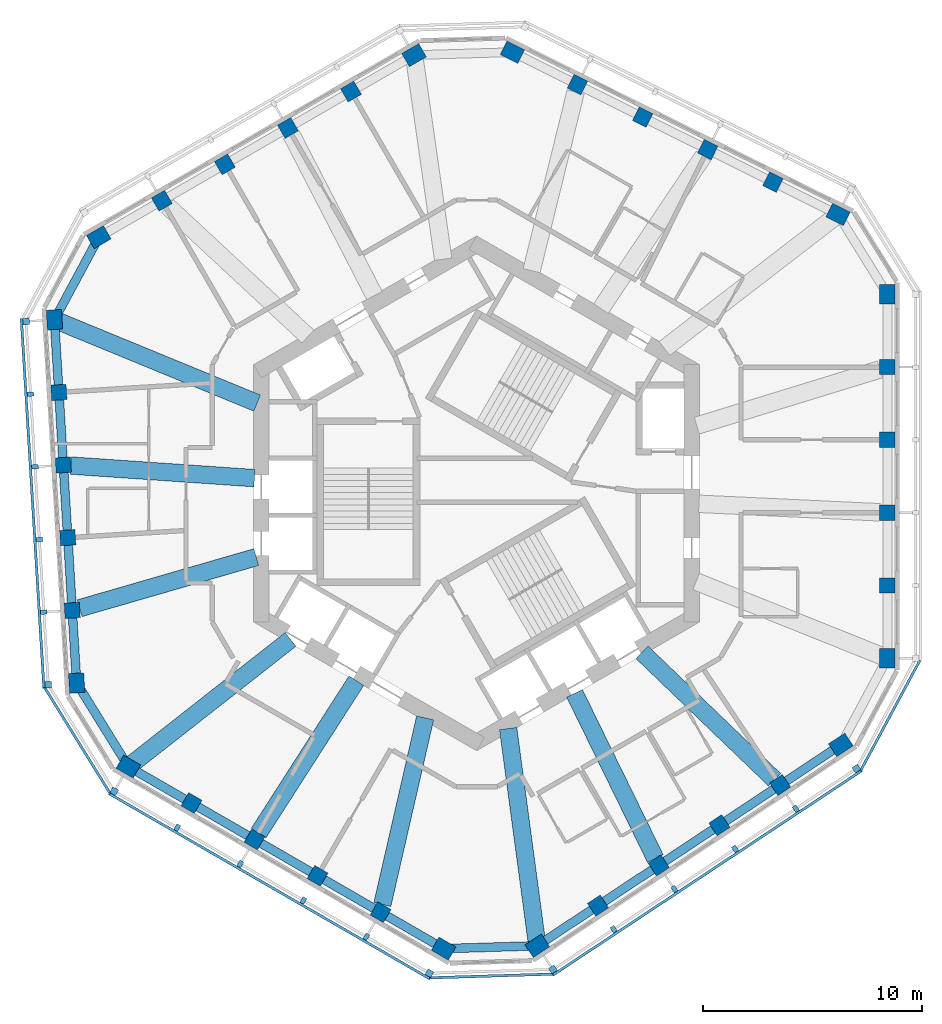
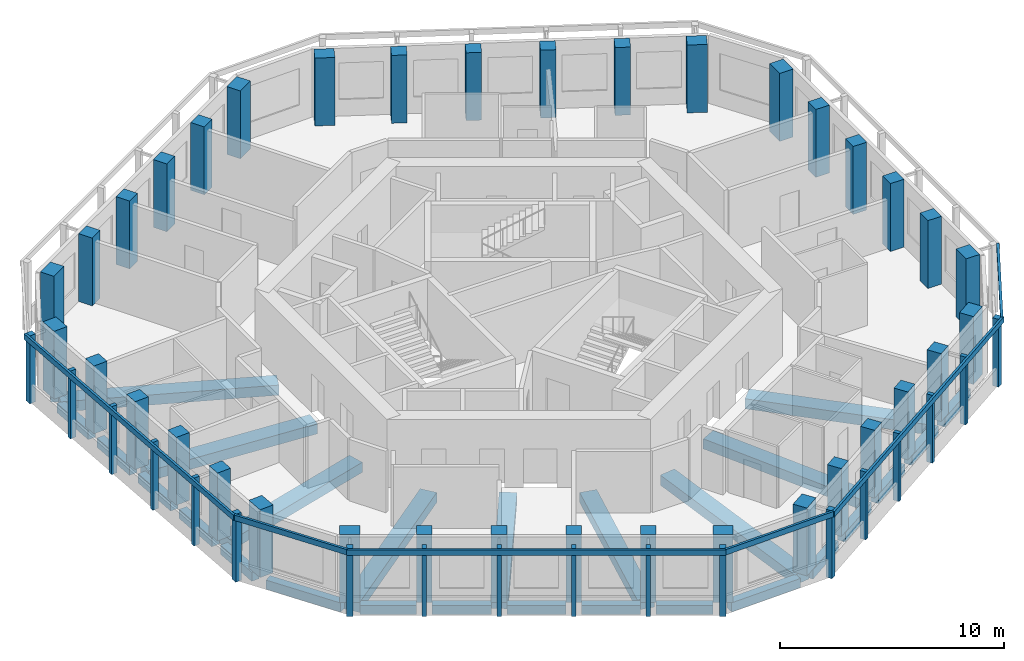
# One storey, part 1 of 11: 36 columns, 27 beams, 24 members, 6 elements without a shape of their own.
"""IFC4 building model written with IfcOpenShell, lengths in metres."""

from ifc_helpers import new_model, si_unit, direction, frame, origin, origin_2d, place, context, subcontext, project, spatial, rectangle, extrude, material, material_profile, profile_set, type_object, element, aggregate, save


model = new_model("IFC4")

# Units and contexts
model_context = context("Model", 3, precision=1e-05, world=origin(), true_north=direction((0.0, 1.0)))
body_context = subcontext(model_context, "Body", "Model", "MODEL_VIEW")
ifc_project = project(units=[si_unit("LENGTHUNIT", "METRE"), si_unit("AREAUNIT", "SQUARE_METRE"), si_unit("VOLUMEUNIT", "CUBIC_METRE"), si_unit("PLANEANGLEUNIT", "RADIAN"), si_unit("MASSUNIT", "GRAM", prefix="KILO")], contexts=[model_context])

# Site, building, storey
site_placement = place(None, origin())
site = spatial("IfcSite", under=ifc_project, at=site_placement, CompositionType="ELEMENT")
building_placement = place(site_placement, origin())
building = spatial("IfcBuilding", under=site, at=building_placement, Name="Vanh Sen Convention Tower", CompositionType="ELEMENT")
storey_placement = place(building_placement, frame((0.0, 0.0, 296.800048828125)))
storey = spatial("IfcBuildingStorey", under=building, at=storey_placement, Name="L73", CompositionType="ELEMENT", Elevation=296.800048828125)

# Columns
ifc_material_1 = material(Name="Concrete C60/75", Category="concrete")
ifc_material_profile_1 = material_profile(ifc_material_1, rectangle(XDim=0.699951171875, YDim=0.699951171875, at=origin_2d()), Name="RC 700X700")
ifc_profile_set_1 = profile_set([ifc_material_profile_1], Name="Concrete C60/75")
column_type_1 = type_object("IfcColumnType", Name="Facade column 700 x 700 C60/75", PredefinedType="COLUMN", material=ifc_profile_set_1)
for number, where, z_axis, x_axis, name in (
    (1, (18.800048828125, -4.215087890625, 0.0), (0.0, 0.0, 1.0), (0.0, 1.0, 0.0), "Facade column 02 L73"),
    (2, (18.800048828125, -0.88330078125, 0.0), (0.0, 0.0, 1.0), (0.0, 1.0, 0.0), "Facade column 03 L73"),
    (3, (18.800048828125, 2.4482421875, 0.0), (0.0, 0.0, 1.0), (0.0, 1.0, 0.0), "Facade column 04 L73"),
    (4, (18.800048828125, 5.77978515625, 0.0), (0.0, 0.0, 1.0), (0.0, 1.0, 0.0), "Facade column 05 L73"),
    (5, (13.56103515625, 14.245849609375, 0.0), (0.0, 0.0, 1.0), (-0.894934361602, 0.44619781311, 0.0), "Facade column 08 L73"),
    (6, (10.57958984375, 15.732421875, 0.0), (0.0, 0.0, 1.0), (-0.894934361602, 0.44619781311, 0.0), "Facade column 09 L73"),
    (7, (7.597900390625, 17.218994140625, 0.0), (0.0, 0.0, 1.0), (-0.894934361602, 0.44619781311, 0.0), "Facade column 10 L73"),
    (8, (4.6162109375, 18.70556640625, 0.0), (0.0, 0.0, 1.0), (-0.894934361602, 0.44619781311, 0.0), "Facade column 11 L73"),
    (9, (-5.74951171875, 18.388916015625, 0.0), (0.0, 0.0, 1.0), (-0.866025403784, -0.5, 0.0), "Facade column 14 L73"),
    (10, (-8.635009765625, 16.722900390625, 0.0), (0.0, 0.0, 1.0), (-0.866025403784, -0.5, 0.0), "Facade column 15 L73"),
    (11, (-11.520263671875, 15.05712890625, 0.0), (0.0, 0.0, 1.0), (-0.866025403784, -0.5, 0.0), "Facade column 16 L73"),
    (12, (-14.405517578125, 13.391357421875, 0.0), (0.0, 0.0, 1.0), (-0.866025403784, -0.5, 0.0), "Facade column 17 L73"),
    (13, (-19.117919921875, 4.621337890625, 0.0), (0.0, 0.0, 1.0), (0.061048539535, -0.998134798422, 0.0), "Facade column 20 L73"),
    (14, (-18.914306640625, 1.2958984375, 0.0), (0.0, 0.0, 1.0), (0.061048539535, -0.998134798422, 0.0), "Facade column 21 L73"),
    (15, (-18.7109375, -2.029541015625, 0.0), (0.0, 0.0, 1.0), (0.061048539535, -0.998134798422, 0.0), "Facade column 22 L73"),
    (16, (-18.507568359375, -5.35498046875, 0.0), (0.0, 0.0, 1.0), (0.061048539535, -0.998134798422, 0.0), "Facade column 23 L73"),
    (17, (-13.05029296875, -14.173583984375, 0.0), (0.0, 0.0, 1.0), (0.866025403784, -0.5, 0.0), "Facade column 26 L73"),
    (18, (-10.1650390625, -15.839599609375, 0.0), (0.0, 0.0, 1.0), (0.866025403784, -0.5, 0.0), "Facade column 27 L73"),
    (19, (-7.27978515625, -17.50537109375, 0.0), (0.0, 0.0, 1.0), (0.866025403784, -0.5, 0.0), "Facade column 28 L73"),
    (20, (-4.39453125, -19.171142578125, 0.0), (0.0, 0.0, 1.0), (0.866025403784, -0.5, 0.0), "Facade column 29 L73"),
    (21, (5.556640625, -18.8671875, 0.0), (0.0, 0.0, 1.0), (0.833885822067, 0.551936985312, 0.0), "Facade column 32 L73"),
    (22, (8.3349609375, -17.0283203125, 0.0), (0.0, 0.0, 1.0), (0.833885822067, 0.551936985312, 0.0), "Facade column 33 L73"),
    (23, (11.113037109375, -15.189453125, 0.0), (0.0, 0.0, 1.0), (0.833885822067, 0.551936985312, 0.0), "Facade column 34 L73"),
    (24, (13.891357421875, -13.3505859375, 0.0), (0.0, 0.0, 1.0), (0.833885822067, 0.551936985312, 0.0), "Facade column 35 L73"),
):
    element("IfcColumn", number, at=place(storey_placement, frame(where, z_axis=z_axis, x_axis=x_axis)), inside=storey, type_object=column_type_1, Name=name, PredefinedType="COLUMN", context=body_context, shape_type="SweptSolid", body=[
        extrude(rectangle(XDim=0.699951171875, YDim=0.699951171875, at=origin_2d()), origin(), (0.0, 0.0, 1.0), 3.699951171875),
    ])
ifc_material_profile_2 = material_profile(ifc_material_1, rectangle(XDim=0.89990234375, YDim=0.699951171875, at=origin_2d()), Name="RC 900X700")
ifc_profile_set_2 = profile_set([ifc_material_profile_2], Name="Concrete C60/75")
column_type_2 = type_object("IfcColumnType", Name="Facade corner column 900 x 700 C60/75", PredefinedType="COLUMN", material=ifc_profile_set_2)
for number, where, z_axis, x_axis, name in (
    (25, (18.800048828125, -7.546630859375, 0.0), (0.0, 0.0, 1.0), (0.0, 1.0, 0.0), "Facade column 01 L73"),
    (26, (18.800048828125, 9.111572265625, 0.0), (0.0, 0.0, 1.0), (0.0, 1.0, 0.0), "Facade column 06 L73"),
    (27, (16.542724609375, 12.75927734375, 0.0), (0.0, 0.0, 1.0), (-0.894934361602, 0.44619781311, 0.0), "Facade column 07 L73"),
    (28, (1.634765625, 20.192138671875, 0.0), (0.0, 0.0, 1.0), (-0.894934361602, 0.44619781311, 0.0), "Facade column 12 L73"),
    (29, (-2.8642578125, 20.0546875, 0.0), (0.0, 0.0, 1.0), (-0.866025403784, -0.5, 0.0), "Facade column 13 L73"),
    (30, (-17.290771484375, 11.7255859375, 0.0), (0.0, 0.0, 1.0), (-0.866025403784, -0.5, 0.0), "Facade column 18 L73"),
    (31, (-19.3212890625, 7.94677734375, 0.0), (0.0, 0.0, 1.0), (0.061048539535, -0.998134798422, 0.0), "Facade column 19 L73"),
    (32, (-18.30419921875, -8.680419921875, 0.0), (0.0, 0.0, 1.0), (0.061048539535, -0.998134798422, 0.0), "Facade column 24 L73"),
    (33, (-15.935791015625, -12.5078125, 0.0), (0.0, 0.0, 1.0), (0.866025403784, -0.5, 0.0), "Facade column 25 L73"),
    (34, (-1.50927734375, -20.8369140625, 0.0), (0.0, 0.0, 1.0), (0.866025403784, -0.5, 0.0), "Facade column 30 L73"),
    (35, (2.7783203125, -20.7060546875, 0.0), (0.0, 0.0, 1.0), (0.833885822067, 0.551936985312, 0.0), "Facade column 31 L73"),
    (36, (16.66943359375, -11.51171875, 0.0), (0.0, 0.0, 1.0), (0.833885822067, 0.551936985312, 0.0), "Facade column 36 L73"),
):
    element("IfcColumn", number, at=place(storey_placement, frame(where, z_axis=z_axis, x_axis=x_axis)), inside=storey, type_object=column_type_2, Name=name, PredefinedType="COLUMN", context=body_context, shape_type="SweptSolid", body=[
        extrude(rectangle(XDim=0.89990234375, YDim=0.699951171875, at=origin_2d()), origin(), (0.0, 0.0, 1.0), 3.699951171875),
    ])

# Curtain wall, members
ifc_material_2 = material(Name="Concrete C50/60", Category="concrete")
curtain_wall_type = type_object("IfcCurtainWallType", Name="Outer skin office zone", PredefinedType="NOTDEFINED", material=ifc_material_2)
curtain_wall_1_placement = place(storey_placement, origin())
curtain_wall_1 = element("IfcCurtainWall", 37, at=curtain_wall_1_placement, inside=storey, type_object=curtain_wall_type, Name="OUTER SKIN W L73", PredefinedType="NOTDEFINED")
ifc_material_profile_3 = material_profile(ifc_material_2, rectangle(XDim=0.300048828125, YDim=0.300048828125, at=origin_2d()), Name="Outer skin precast corner fin 300 x 300")
ifc_profile_set_3 = profile_set([ifc_material_profile_3], Name="Concrete C50/60")
member_type_1 = type_object("IfcMemberType", Name="Outer skin precast corner fin 300 x 300", PredefinedType="MULLION", material=ifc_profile_set_3)
member_1_placement = place(storey_placement, frame((-20.618896484375, 7.867431640625, 0.0), z_axis=(0.0, 0.0, 1.0), x_axis=(0.061048539535, -0.998134798422, 0.0)))
member_1 = element("IfcMember", 38, at=member_1_placement, type_object=member_type_1, Name="OUTER SKIN CORNER FIN 1 W L73", PredefinedType="MULLION", context=body_context, shape_type="SweptSolid", body=[
    extrude(rectangle(XDim=0.300048828125, YDim=0.300048828125, at=origin_2d()), origin(), (0.0, 0.0, 1.0), 3.699951171875),
])
member_2_placement = place(storey_placement, frame((-19.601806640625, -8.759765625, 0.0), z_axis=(0.0, 0.0, 1.0), x_axis=(0.061048539535, -0.998134798422, 0.0)))
member_2 = element("IfcMember", 39, at=member_2_placement, type_object=member_type_1, Name="OUTER SKIN CORNER FIN 6 W L73", PredefinedType="MULLION", context=body_context, shape_type="SweptSolid", body=[
    extrude(rectangle(XDim=0.300048828125, YDim=0.300048828125, at=origin_2d()), origin(), (0.0, 0.0, 1.0), 3.699951171875),
])

curtain_wall_2_placement = place(storey_placement, origin())
curtain_wall_2 = element("IfcCurtainWall", 40, at=curtain_wall_2_placement, inside=storey, type_object=curtain_wall_type, Name="OUTER SKIN SW L73", PredefinedType="NOTDEFINED")
member_3_placement = place(storey_placement, frame((-16.585693359375, -13.6337890625, 0.0), z_axis=(0.0, 0.0, 1.0), x_axis=(0.866025403784, -0.5, 0.0)))
member_3 = element("IfcMember", 41, at=member_3_placement, type_object=member_type_1, Name="OUTER SKIN CORNER FIN 1 SW L73", PredefinedType="MULLION", context=body_context, shape_type="SweptSolid", body=[
    extrude(rectangle(XDim=0.300048828125, YDim=0.300048828125, at=origin_2d()), origin(), (0.0, 0.0, 1.0), 3.699951171875),
])
member_4_placement = place(storey_placement, frame((-2.1591796875, -21.962890625, 0.0), z_axis=(0.0, 0.0, 1.0), x_axis=(0.866025403784, -0.5, 0.0)))
member_4 = element("IfcMember", 42, at=member_4_placement, type_object=member_type_1, Name="OUTER SKIN CORNER FIN 6 SW L73", PredefinedType="MULLION", context=body_context, shape_type="SweptSolid", body=[
    extrude(rectangle(XDim=0.300048828125, YDim=0.300048828125, at=origin_2d()), origin(), (0.0, 0.0, 1.0), 3.699951171875),
])

curtain_wall_3_placement = place(storey_placement, origin())
curtain_wall_3 = element("IfcCurtainWall", 43, at=curtain_wall_3_placement, inside=storey, type_object=curtain_wall_type, Name="OUTER SKIN SE L73", PredefinedType="NOTDEFINED")
member_5_placement = place(storey_placement, frame((3.495849609375, -21.7900390625, 0.0), z_axis=(0.0, 0.0, 1.0), x_axis=(0.833885822067, 0.551936985312, 0.0)))
member_5 = element("IfcMember", 44, at=member_5_placement, type_object=member_type_1, Name="OUTER SKIN CORNER FIN 1 SE L73", PredefinedType="MULLION", context=body_context, shape_type="SweptSolid", body=[
    extrude(rectangle(XDim=0.300048828125, YDim=0.300048828125, at=origin_2d()), origin(), (0.0, 0.0, 1.0), 3.699951171875),
])
member_6_placement = place(storey_placement, frame((17.386962890625, -12.595703125, 0.0), z_axis=(0.0, 0.0, 1.0), x_axis=(0.833885822067, 0.551936985312, 0.0)))
member_6 = element("IfcMember", 45, at=member_6_placement, type_object=member_type_1, Name="OUTER SKIN CORNER FIN 6 SE L73", PredefinedType="MULLION", context=body_context, shape_type="SweptSolid", body=[
    extrude(rectangle(XDim=0.300048828125, YDim=0.300048828125, at=origin_2d()), origin(), (0.0, 0.0, 1.0), 3.699951171875),
])

# Member
ifc_material_profile_4 = material_profile(ifc_material_2, rectangle(XDim=0.199951171875, YDim=0.300048828125, at=origin_2d()), Name="Outer skin precast fin 200 x 300")
ifc_profile_set_4 = profile_set([ifc_material_profile_4], Name="Concrete C50/60")
member_type_2 = type_object("IfcMemberType", Name="Outer skin precast fin 200 x 300", PredefinedType="MULLION", material=ifc_profile_set_4)
member_7_placement = place(storey_placement, frame((-20.415283203125, 4.5419921875, 0.0), z_axis=(0.0, 0.0, 1.0), x_axis=(0.061048539535, -0.998134798422, 0.0)))
member_7 = element("IfcMember", 46, at=member_7_placement, type_object=member_type_2, Name="OUTER SKIN fin 2 W L73", PredefinedType="MULLION", context=body_context, shape_type="SweptSolid", body=[
    extrude(rectangle(XDim=0.199951171875, YDim=0.300048828125, at=origin_2d()), origin(), (0.0, 0.0, 1.0), 3.699951171875),
])

member_8_placement = place(storey_placement, frame((-20.2119140625, 1.216552734375, 0.0), z_axis=(0.0, 0.0, 1.0), x_axis=(0.061048539535, -0.998134798422, 0.0)))
member_8 = element("IfcMember", 47, at=member_8_placement, type_object=member_type_2, Name="OUTER SKIN fin 3 W L73", PredefinedType="MULLION", context=body_context, shape_type="SweptSolid", body=[
    extrude(rectangle(XDim=0.199951171875, YDim=0.300048828125, at=origin_2d()), origin(), (0.0, 0.0, 1.0), 3.699951171875),
])

member_9_placement = place(storey_placement, frame((-20.008544921875, -2.10888671875, 0.0), z_axis=(0.0, 0.0, 1.0), x_axis=(0.061048539535, -0.998134798422, 0.0)))
member_9 = element("IfcMember", 48, at=member_9_placement, type_object=member_type_2, Name="OUTER SKIN fin 4 W L73", PredefinedType="MULLION", context=body_context, shape_type="SweptSolid", body=[
    extrude(rectangle(XDim=0.199951171875, YDim=0.300048828125, at=origin_2d()), origin(), (0.0, 0.0, 1.0), 3.699951171875),
])

member_10_placement = place(storey_placement, frame((-19.80517578125, -5.434326171875, 0.0), z_axis=(0.0, 0.0, 1.0), x_axis=(0.061048539535, -0.998134798422, 0.0)))
member_10 = element("IfcMember", 49, at=member_10_placement, type_object=member_type_2, Name="OUTER SKIN fin 5 W L73", PredefinedType="MULLION", context=body_context, shape_type="SweptSolid", body=[
    extrude(rectangle(XDim=0.199951171875, YDim=0.300048828125, at=origin_2d()), origin(), (0.0, 0.0, 1.0), 3.699951171875),
])

member_11_placement = place(storey_placement, frame((-13.700439453125, -15.299560546875, 0.0), z_axis=(0.0, 0.0, 1.0), x_axis=(0.866025403784, -0.5, 0.0)))
member_11 = element("IfcMember", 50, at=member_11_placement, type_object=member_type_2, Name="OUTER SKIN fin 2 SW L73", PredefinedType="MULLION", context=body_context, shape_type="SweptSolid", body=[
    extrude(rectangle(XDim=0.199951171875, YDim=0.300048828125, at=origin_2d()), origin(), (0.0, 0.0, 1.0), 3.699951171875),
])

member_12_placement = place(storey_placement, frame((-10.815185546875, -16.96533203125, 0.0), z_axis=(0.0, 0.0, 1.0), x_axis=(0.866025403784, -0.5, 0.0)))
member_12 = element("IfcMember", 51, at=member_12_placement, type_object=member_type_2, Name="OUTER SKIN fin 3 SW L73", PredefinedType="MULLION", context=body_context, shape_type="SweptSolid", body=[
    extrude(rectangle(XDim=0.199951171875, YDim=0.300048828125, at=origin_2d()), origin(), (0.0, 0.0, 1.0), 3.699951171875),
])

member_13_placement = place(storey_placement, frame((-7.9296875, -18.631103515625, 0.0), z_axis=(0.0, 0.0, 1.0), x_axis=(0.866025403784, -0.5, 0.0)))
member_13 = element("IfcMember", 52, at=member_13_placement, type_object=member_type_2, Name="OUTER SKIN fin 4 SW L73", PredefinedType="MULLION", context=body_context, shape_type="SweptSolid", body=[
    extrude(rectangle(XDim=0.199951171875, YDim=0.300048828125, at=origin_2d()), origin(), (0.0, 0.0, 1.0), 3.699951171875),
])

member_14_placement = place(storey_placement, frame((-5.04443359375, -20.297119140625, 0.0), z_axis=(0.0, 0.0, 1.0), x_axis=(0.866025403784, -0.5, 0.0)))
member_14 = element("IfcMember", 53, at=member_14_placement, type_object=member_type_2, Name="OUTER SKIN fin 5 SW L73", PredefinedType="MULLION", context=body_context, shape_type="SweptSolid", body=[
    extrude(rectangle(XDim=0.199951171875, YDim=0.300048828125, at=origin_2d()), origin(), (0.0, 0.0, 1.0), 3.699951171875),
])

member_15_placement = place(storey_placement, frame((6.274169921875, -19.951416015625, 0.0), z_axis=(0.0, 0.0, 1.0), x_axis=(0.833885822067, 0.551936985312, 0.0)))
member_15 = element("IfcMember", 54, at=member_15_placement, type_object=member_type_2, Name="OUTER SKIN fin 2 SE L73", PredefinedType="MULLION", context=body_context, shape_type="SweptSolid", body=[
    extrude(rectangle(XDim=0.199951171875, YDim=0.300048828125, at=origin_2d()), origin(), (0.0, 0.0, 1.0), 3.699951171875),
])

member_16_placement = place(storey_placement, frame((9.052490234375, -18.1123046875, 0.0), z_axis=(0.0, 0.0, 1.0), x_axis=(0.833885822067, 0.551936985312, 0.0)))
member_16 = element("IfcMember", 55, at=member_16_placement, type_object=member_type_2, Name="OUTER SKIN fin 3 SE L73", PredefinedType="MULLION", context=body_context, shape_type="SweptSolid", body=[
    extrude(rectangle(XDim=0.199951171875, YDim=0.300048828125, at=origin_2d()), origin(), (0.0, 0.0, 1.0), 3.699951171875),
])

member_17_placement = place(storey_placement, frame((11.83056640625, -16.273681640625, 0.0), z_axis=(0.0, 0.0, 1.0), x_axis=(0.833885822067, 0.551936985312, 0.0)))
member_17 = element("IfcMember", 56, at=member_17_placement, type_object=member_type_2, Name="OUTER SKIN fin 4 SE L73", PredefinedType="MULLION", context=body_context, shape_type="SweptSolid", body=[
    extrude(rectangle(XDim=0.199951171875, YDim=0.300048828125, at=origin_2d()), origin(), (0.0, 0.0, 1.0), 3.699951171875),
])

member_18_placement = place(storey_placement, frame((14.60888671875, -14.434814453125, 0.0), z_axis=(0.0, 0.0, 1.0), x_axis=(0.833885822067, 0.551936985312, 0.0)))
member_18 = element("IfcMember", 57, at=member_18_placement, type_object=member_type_2, Name="OUTER SKIN fin 5 SE L73", PredefinedType="MULLION", context=body_context, shape_type="SweptSolid", body=[
    extrude(rectangle(XDim=0.199951171875, YDim=0.300048828125, at=origin_2d()), origin(), (0.0, 0.0, 1.0), 3.699951171875),
])

ifc_material_profile_5 = material_profile(ifc_material_2, rectangle(XDim=0.1201171875, YDim=0.300048828125, at=origin_2d()), Name="Outer skin precast spandrel band 300 x 120")
ifc_profile_set_5 = profile_set([ifc_material_profile_5], Name="Concrete C50/60")
member_type_3 = type_object("IfcMemberType", Name="Outer skin precast spandrel band 300 x 120", PredefinedType="USERDEFINED", material=ifc_profile_set_5)
member_19_placement = place(storey_placement, frame((-20.83740234375, 8.00439453125, 3.550048828125), z_axis=(0.061040984027, -0.998135260508, 0.0), x_axis=(0.998135260508, 0.061040984027, 0.0)))
member_19 = element("IfcMember", 58, at=member_19_placement, type_object=member_type_3, Name="OUTER SKIN spandrel band W L73", ObjectType="TRANSOM", PredefinedType="USERDEFINED", context=body_context, shape_type="SweptSolid", body=[
    extrude(rectangle(XDim=0.1201171875, YDim=0.300048828125, at=origin_2d()), origin(), (0.0, 0.0, 1.0), 16.95849609375),
])

aggregate(curtain_wall_1, [member_1, member_7, member_8, member_9, member_10, member_2, member_19])

# Curtain wall, member
curtain_wall_4_placement = place(storey_placement, origin())
curtain_wall_4 = element("IfcCurtainWall", 59, at=curtain_wall_4_placement, inside=storey, type_object=curtain_wall_type, Name="OUTER SKIN CH4 L73", PredefinedType="NOTDEFINED")
member_20_placement = place(storey_placement, frame((-19.7802734375, -8.870361328125, 3.550048828125), z_axis=(0.526199162152, -0.850361359512, 0.0), x_axis=(0.850361359512, 0.526199162152, 0.0)))
member_20 = element("IfcMember", 60, at=member_20_placement, type_object=member_type_3, Name="OUTER SKIN spandrel band CH4 L73", ObjectType="TRANSOM", PredefinedType="USERDEFINED", context=body_context, shape_type="SweptSolid", body=[
    extrude(rectangle(XDim=0.1201171875, YDim=0.300048828125, at=origin_2d()), origin(), (0.0, 0.0, 1.0), 5.7314453125),
])
aggregate(curtain_wall_4, [member_20])

# Member
member_21_placement = place(storey_placement, frame((-16.820556640625, -13.740478515625, 3.550048828125), z_axis=(0.866022320763, -0.500005339912, 0.0), x_axis=(0.500005339912, 0.866022320763, 0.0)))
member_21 = element("IfcMember", 61, at=member_21_placement, type_object=member_type_3, Name="OUTER SKIN spandrel band SW L73", ObjectType="TRANSOM", PredefinedType="USERDEFINED", context=body_context, shape_type="SweptSolid", body=[
    extrude(rectangle(XDim=0.1201171875, YDim=0.300048828125, at=origin_2d()), origin(), (0.0, 0.0, 1.0), 16.958251953125),
])

aggregate(curtain_wall_2, [member_3, member_11, member_12, member_13, member_14, member_4, member_21])

# Curtain wall, member
curtain_wall_5_placement = place(storey_placement, origin())
curtain_wall_5 = element("IfcCurtainWall", 62, at=curtain_wall_5_placement, inside=storey, type_object=curtain_wall_type, Name="OUTER SKIN CH5 L73", PredefinedType="NOTDEFINED")
member_22_placement = place(storey_placement, frame((-2.15283203125, -22.172607421875, 3.550048828125), z_axis=(0.999534504066, 0.030508608314, 0.0), x_axis=(-0.030508608314, 0.999534504066, 0.0)))
member_22 = element("IfcMember", 63, at=member_22_placement, type_object=member_type_3, Name="OUTER SKIN spandrel band CH5 L73", ObjectType="TRANSOM", PredefinedType="USERDEFINED", context=body_context, shape_type="SweptSolid", body=[
    extrude(rectangle(XDim=0.1201171875, YDim=0.300048828125, at=origin_2d()), origin(), (0.0, 0.0, 1.0), 5.65771484375),
])
aggregate(curtain_wall_5, [member_22])

# Member
member_23_placement = place(storey_placement, frame((3.48681640625, -22.048095703125, 3.550048828125), z_axis=(0.833877443168, 0.551949644239, 0.0), x_axis=(-0.551949644239, 0.833877443168, 0.0)))
member_23 = element("IfcMember", 64, at=member_23_placement, type_object=member_type_3, Name="OUTER SKIN spandrel band SE L73", ObjectType="TRANSOM", PredefinedType="USERDEFINED", context=body_context, shape_type="SweptSolid", body=[
    extrude(rectangle(XDim=0.1201171875, YDim=0.300048828125, at=origin_2d()), origin(), (0.0, 0.0, 1.0), 16.958251953125),
])

aggregate(curtain_wall_3, [member_5, member_15, member_16, member_17, member_18, member_6, member_23])

# Curtain wall, member
curtain_wall_6_placement = place(storey_placement, origin())
curtain_wall_6 = element("IfcCurtainWall", 65, at=curtain_wall_6_placement, inside=storey, type_object=curtain_wall_type, Name="OUTER SKIN CH6 L73", PredefinedType="NOTDEFINED")
member_24_placement = place(storey_placement, frame((17.572021484375, -12.695068359375, 3.550048828125), z_axis=(0.473309680768, 0.880896104028, 0.0), x_axis=(-0.880896104028, 0.473309680768, 0.0)))
member_24 = element("IfcMember", 66, at=member_24_placement, type_object=member_type_3, Name="OUTER SKIN spandrel band CH6 L73", ObjectType="TRANSOM", PredefinedType="USERDEFINED", context=body_context, shape_type="SweptSolid", body=[
    extrude(rectangle(XDim=0.1201171875, YDim=0.300048828125, at=origin_2d()), origin(), (0.0, 0.0, 1.0), 5.731689453125),
])
aggregate(curtain_wall_6, [member_24])

# Beams
ifc_material_3 = material(Name="Concrete C50/60", Category="concrete")
ifc_material_profile_6 = material_profile(ifc_material_3, rectangle(XDim=0.800048828125, YDim=0.550048828125, at=origin_2d()), Name="RC 800X550")
ifc_profile_set_6 = profile_set([ifc_material_profile_6], Name="Concrete C50/60")
beam_type_1 = type_object("IfcBeamType", Name="Radial floor beam 800 x 550", PredefinedType="BEAM", material=ifc_profile_set_6)
beam_1_placement = place(storey_placement, frame((-19.1455078125, 7.87451171875, -0.554931640625), z_axis=(0.924833681103, -0.380371742243, 0.0), x_axis=(0.380371742243, 0.924833681103, 0.0)))
element("IfcBeam", 67, at=beam_1_placement, inside=storey, type_object=beam_type_1, Name="Radial beam 10 L73", PredefinedType="BEAM", context=body_context, shape_type="SweptSolid", body=[
    extrude(rectangle(XDim=0.800048828125, YDim=0.550048828125, at=origin_2d()), origin(), (0.0, 0.0, 1.0), 9.842041015625),
])
beam_2_placement = place(storey_placement, frame((-18.5673828125, 1.272216796875, -0.554931640625), z_axis=(0.997659612497, -0.068376147835, 0.0), x_axis=(0.068376147835, 0.997659612497, 0.0)))
element("IfcBeam", 68, at=beam_2_placement, inside=storey, type_object=beam_type_1, Name="Radial beam 11 L73", PredefinedType="BEAM", context=body_context, shape_type="SweptSolid", body=[
    extrude(rectangle(XDim=0.800048828125, YDim=0.550048828125, at=origin_2d()), origin(), (0.0, 0.0, 1.0), 8.41943359375),
])
beam_3_placement = place(storey_placement, frame((-18.167724609375, -5.256591796875, -0.554931640625), z_axis=(0.960601164566, 0.277930571609, 0.0), x_axis=(-0.277930571609, 0.960601164566, 0.0)))
element("IfcBeam", 69, at=beam_3_placement, inside=storey, type_object=beam_type_1, Name="Radial beam 12 L73", PredefinedType="BEAM", context=body_context, shape_type="SweptSolid", body=[
    extrude(rectangle(XDim=0.800048828125, YDim=0.550048828125, at=origin_2d()), origin(), (0.0, 0.0, 1.0), 8.415283203125),
])
beam_4_placement = place(storey_placement, frame((-15.773193359375, -12.38037109375, -0.554931640625), z_axis=(0.786638699864, 0.617413601952, 0.0), x_axis=(-0.617413601952, 0.786638699864, 0.0)))
element("IfcBeam", 70, at=beam_4_placement, inside=storey, type_object=beam_type_1, Name="Radial beam 13 L73", PredefinedType="BEAM", context=body_context, shape_type="SweptSolid", body=[
    extrude(rectangle(XDim=0.800048828125, YDim=0.550048828125, at=origin_2d()), origin(), (0.0, 0.0, 1.0), 9.22607421875),
])
beam_5_placement = place(storey_placement, frame((-9.978515625, -15.548828125, -0.554931640625), z_axis=(0.540102344693, 0.841599344853, 0.0), x_axis=(-0.841599344853, 0.540102344693, 0.0)))
element("IfcBeam", 71, at=beam_5_placement, inside=storey, type_object=beam_type_1, Name="Radial beam 14 L73", PredefinedType="BEAM", context=body_context, shape_type="SweptSolid", body=[
    extrude(rectangle(XDim=0.800048828125, YDim=0.550048828125, at=origin_2d()), origin(), (0.0, 0.0, 1.0), 8.287841796875),
])
beam_6_placement = place(storey_placement, frame((-4.313720703125, -18.819091796875, -0.554931640625), z_axis=(0.223414754173, 0.974723472385, 0.0), x_axis=(-0.974723472385, 0.223414754173, 0.0)))
element("IfcBeam", 72, at=beam_6_placement, inside=storey, type_object=beam_type_1, Name="Radial beam 15 L73", PredefinedType="BEAM", context=body_context, shape_type="SweptSolid", body=[
    extrude(rectangle(XDim=0.800048828125, YDim=0.550048828125, at=origin_2d()), origin(), (0.0, 0.0, 1.0), 8.763916015625),
])
beam_7_placement = place(storey_placement, frame((2.753173828125, -20.517578125, -0.554931640625), z_axis=(-0.133011855208, 0.991114446658, 0.0), x_axis=(-0.991114446658, -0.133011855208, 0.0)))
element("IfcBeam", 73, at=beam_7_placement, inside=storey, type_object=beam_type_1, Name="Radial beam 16 L73", PredefinedType="BEAM", context=body_context, shape_type="SweptSolid", body=[
    extrude(rectangle(XDim=0.800048828125, YDim=0.550048828125, at=origin_2d()), origin(), (0.0, 0.0, 1.0), 9.841796875),
])
beam_8_placement = place(storey_placement, frame((8.181884765625, -16.7158203125, -0.554931640625), z_axis=(-0.439634994213, 0.898176526004, 0.0), x_axis=(-0.898176526004, -0.439634994213, 0.0)))
element("IfcBeam", 74, at=beam_8_placement, inside=storey, type_object=beam_type_1, Name="Radial beam 17 L73", PredefinedType="BEAM", context=body_context, shape_type="SweptSolid", body=[
    extrude(rectangle(XDim=0.800048828125, YDim=0.550048828125, at=origin_2d()), origin(), (0.0, 0.0, 1.0), 8.419189453125),
])
beam_9_placement = place(storey_placement, frame((13.63623046875, -13.10546875, -0.554931640625), z_axis=(-0.72099471604, 0.692940559819, 0.0), x_axis=(-0.692940559819, -0.72099471604, 0.0)))
element("IfcBeam", 75, at=beam_9_placement, inside=storey, type_object=beam_type_1, Name="Radial beam 18 L73", PredefinedType="BEAM", context=body_context, shape_type="SweptSolid", body=[
    extrude(rectangle(XDim=0.800048828125, YDim=0.550048828125, at=origin_2d()), origin(), (0.0, 0.0, 1.0), 8.415283203125),
])
ifc_material_profile_7 = material_profile(ifc_material_3, rectangle(XDim=0.39990234375, YDim=0.5, at=origin_2d()), Name="RC 400X500")
ifc_profile_set_7 = profile_set([ifc_material_profile_7], Name="Concrete C50/60")
beam_type_2 = type_object("IfcBeamType", Name="Spandrel beam 400 x 500", PredefinedType="SPANDREL", material=ifc_profile_set_7)
beam_10_placement = place(storey_placement, frame((-17.4501953125, 11.4287109375, -0.530029296875), z_axis=(-0.473326548716, -0.880887040591, 0.0), x_axis=(0.880887040591, -0.473326548716, 0.0)))
element("IfcBeam", 76, at=beam_10_placement, inside=storey, type_object=beam_type_2, Name="Spandrel beam 18 L73", PredefinedType="SPANDREL", context=body_context, shape_type="SweptSolid", body=[
    extrude(rectangle(XDim=0.39990234375, YDim=0.5, at=origin_2d()), origin(), (0.0, 0.0, 1.0), 3.61572265625),
])
beam_11_placement = place(storey_placement, frame((-19.2939453125, 7.502685546875, -0.530029296875), z_axis=(0.060996786272, -0.99813796244, 0.0), x_axis=(0.99813796244, 0.060996786272, 0.0)))
element("IfcBeam", 77, at=beam_11_placement, inside=storey, type_object=beam_type_2, Name="Spandrel beam 19 L73", PredefinedType="SPANDREL", context=body_context, shape_type="SweptSolid", body=[
    extrude(rectangle(XDim=0.39990234375, YDim=0.5, at=origin_2d()), origin(), (0.0, 0.0, 1.0), 2.54150390625),
])
for number, where, z_axis, x_axis, name in (
    (78, (-19.0966796875, 4.277099609375, -0.530029296875), (0.060991691574, -0.998138273767, 0.0), (0.998138273767, 0.060991691574, 0.0), "Spandrel beam 20 L73"),
    (79, (-18.893310546875, 0.95166015625, -0.530029296875), (0.060991691574, -0.998138273767, 0.0), (0.998138273767, 0.060991691574, 0.0), "Spandrel beam 21 L73"),
):
    element("IfcBeam", number, at=place(storey_placement, frame(where, z_axis=z_axis, x_axis=x_axis)), inside=storey, type_object=beam_type_2, Name=name, PredefinedType="SPANDREL", context=body_context, shape_type="SweptSolid", body=[
        extrude(rectangle(XDim=0.39990234375, YDim=0.5, at=origin_2d()), origin(), (0.0, 0.0, 1.0), 2.641845703125),
    ])
beam_12_placement = place(storey_placement, frame((-18.68994140625, -2.373779296875, -0.530029296875), z_axis=(0.060997317941, -0.99813792995, 0.0), x_axis=(0.99813792995, 0.060997317941, 0.0)))
element("IfcBeam", 80, at=beam_12_placement, inside=storey, type_object=beam_type_2, Name="Spandrel beam 22 L73", PredefinedType="SPANDREL", context=body_context, shape_type="SweptSolid", body=[
    extrude(rectangle(XDim=0.39990234375, YDim=0.5, at=origin_2d()), origin(), (0.0, 0.0, 1.0), 2.6416015625),
])
beam_13_placement = place(storey_placement, frame((-18.486572265625, -5.69921875, -0.530029296875), z_axis=(0.061086629106, -0.998132468034, 0.0), x_axis=(0.998132468034, 0.061086629106, 0.0)))
element("IfcBeam", 81, at=beam_13_placement, inside=storey, type_object=beam_type_2, Name="Spandrel beam 23 L73", PredefinedType="SPANDREL", context=body_context, shape_type="SweptSolid", body=[
    extrude(rectangle(XDim=0.39990234375, YDim=0.5, at=origin_2d()), origin(), (0.0, 0.0, 1.0), 2.541748046875),
])
beam_14_placement = place(storey_placement, frame((-18.113525390625, -8.98828125, -0.530029296875), z_axis=(0.526187700373, -0.850368451893, 0.0), x_axis=(0.850368451893, 0.526187700373, 0.0)))
element("IfcBeam", 82, at=beam_14_placement, inside=storey, type_object=beam_type_2, Name="Spandrel beam 24 L73", PredefinedType="SPANDREL", context=body_context, shape_type="SweptSolid", body=[
    extrude(rectangle(XDim=0.39990234375, YDim=0.5, at=origin_2d()), origin(), (0.0, 0.0, 1.0), 3.77685546875),
])
beam_15_placement = place(storey_placement, frame((-15.55029296875, -12.73046875, -0.530029296875), z_axis=(0.866041625918, -0.499971901387, 0.0), x_axis=(0.499971901387, 0.866041625918, 0.0)))
element("IfcBeam", 83, at=beam_15_placement, inside=storey, type_object=beam_type_2, Name="Spandrel beam 25 L73", PredefinedType="SPANDREL", context=body_context, shape_type="SweptSolid", body=[
    extrude(rectangle(XDim=0.39990234375, YDim=0.5, at=origin_2d()), origin(), (0.0, 0.0, 1.0), 2.541748046875),
])
beam_16_placement = place(storey_placement, frame((-12.751708984375, -14.34619140625, -0.530029296875), z_axis=(0.86603938454, -0.49997578384, 0.0), x_axis=(0.49997578384, 0.86603938454, 0.0)))
element("IfcBeam", 84, at=beam_16_placement, inside=storey, type_object=beam_type_2, Name="Spandrel beam 26 L73", PredefinedType="SPANDREL", context=body_context, shape_type="SweptSolid", body=[
    extrude(rectangle(XDim=0.39990234375, YDim=0.5, at=origin_2d()), origin(), (0.0, 0.0, 1.0), 2.641845703125),
])
for number, where, z_axis, x_axis, name in (
    (85, (-9.8662109375, -16.01220703125, -0.530029296875), (0.866016279763, -0.500015802937, 0.0), (0.500015802937, 0.866016279763, 0.0), "Spandrel beam 27 L73"),
    (86, (-6.98095703125, -17.677978515625, -0.530029296875), (0.866016279763, -0.500015802937, 0.0), (0.500015802937, 0.866016279763, 0.0), "Spandrel beam 28 L73"),
):
    element("IfcBeam", number, at=place(storey_placement, frame(where, z_axis=z_axis, x_axis=x_axis)), inside=storey, type_object=beam_type_2, Name=name, PredefinedType="SPANDREL", context=body_context, shape_type="SweptSolid", body=[
        extrude(rectangle(XDim=0.39990234375, YDim=0.5, at=origin_2d()), origin(), (0.0, 0.0, 1.0), 2.6416015625),
    ])
beam_17_placement = place(storey_placement, frame((-4.095703125, -19.34375, -0.530029296875), z_axis=(0.866041625918, -0.499971901387, 0.0), x_axis=(0.499971901387, 0.866041625918, 0.0)))
element("IfcBeam", 87, at=beam_17_placement, inside=storey, type_object=beam_type_2, Name="Spandrel beam 29 L73", PredefinedType="SPANDREL", context=body_context, shape_type="SweptSolid", body=[
    extrude(rectangle(XDim=0.39990234375, YDim=0.5, at=origin_2d()), origin(), (0.0, 0.0, 1.0), 2.541748046875),
])
beam_18_placement = place(storey_placement, frame((-1.17236328125, -20.82666015625, -0.530029296875), z_axis=(0.999534152423, 0.030520126792, 0.0), x_axis=(-0.030520126792, 0.999534152423, 0.0)))
element("IfcBeam", 88, at=beam_18_placement, inside=storey, type_object=beam_type_2, Name="Spandrel beam 30 L73", PredefinedType="SPANDREL", context=body_context, shape_type="SweptSolid", body=[
    extrude(rectangle(XDim=0.39990234375, YDim=0.5, at=origin_2d()), origin(), (0.0, 0.0, 1.0), 3.61572265625),
])
beam_19_placement = place(storey_placement, frame((3.1494140625, -20.46044921875, -0.530029296875), z_axis=(0.833907502564, 0.551904228257, 0.0), x_axis=(-0.551904228257, 0.833907502564, 0.0)))
element("IfcBeam", 89, at=beam_19_placement, inside=storey, type_object=beam_type_2, Name="Spandrel beam 31 L73", PredefinedType="SPANDREL", context=body_context, shape_type="SweptSolid", body=[
    extrude(rectangle(XDim=0.39990234375, YDim=0.5, at=origin_2d()), origin(), (0.0, 0.0, 1.0), 2.541748046875),
])
beam_20_placement = place(storey_placement, frame((5.844482421875, -18.6767578125, -0.530029296875), z_axis=(0.83386589331, 0.551967093199, 0.0), x_axis=(-0.551967093199, 0.83386589331, 0.0)))
element("IfcBeam", 90, at=beam_20_placement, inside=storey, type_object=beam_type_2, Name="Spandrel beam 32 L73", PredefinedType="SPANDREL", context=body_context, shape_type="SweptSolid", body=[
    extrude(rectangle(XDim=0.39990234375, YDim=0.5, at=origin_2d()), origin(), (0.0, 0.0, 1.0), 2.641357421875),
])
beam_21_placement = place(storey_placement, frame((8.62255859375, -16.837890625, -0.530029296875), z_axis=(0.833894049219, 0.55192455524, 0.0), x_axis=(-0.55192455524, 0.833894049219, 0.0)))
element("IfcBeam", 91, at=beam_21_placement, inside=storey, type_object=beam_type_2, Name="Spandrel beam 33 L73", PredefinedType="SPANDREL", context=body_context, shape_type="SweptSolid", body=[
    extrude(rectangle(XDim=0.39990234375, YDim=0.5, at=origin_2d()), origin(), (0.0, 0.0, 1.0), 2.6416015625),
])
beam_22_placement = place(storey_placement, frame((11.40087890625, -14.9990234375, -0.530029296875), z_axis=(0.83386589331, 0.551967093199, 0.0), x_axis=(-0.551967093199, 0.83386589331, 0.0)))
element("IfcBeam", 92, at=beam_22_placement, inside=storey, type_object=beam_type_2, Name="Spandrel beam 34 L73", PredefinedType="SPANDREL", context=body_context, shape_type="SweptSolid", body=[
    extrude(rectangle(XDim=0.39990234375, YDim=0.5, at=origin_2d()), origin(), (0.0, 0.0, 1.0), 2.641357421875),
])
beam_23_placement = place(storey_placement, frame((14.178955078125, -13.16015625, -0.530029296875), z_axis=(0.833878242334, 0.551948436868, 0.0), x_axis=(-0.551948436868, 0.833878242334, 0.0)))
element("IfcBeam", 93, at=beam_23_placement, inside=storey, type_object=beam_type_2, Name="Spandrel beam 35 L73", PredefinedType="SPANDREL", context=body_context, shape_type="SweptSolid", body=[
    extrude(rectangle(XDim=0.39990234375, YDim=0.5, at=origin_2d()), origin(), (0.0, 0.0, 1.0), 2.54150390625),
])

save(model, "model.ifc")
